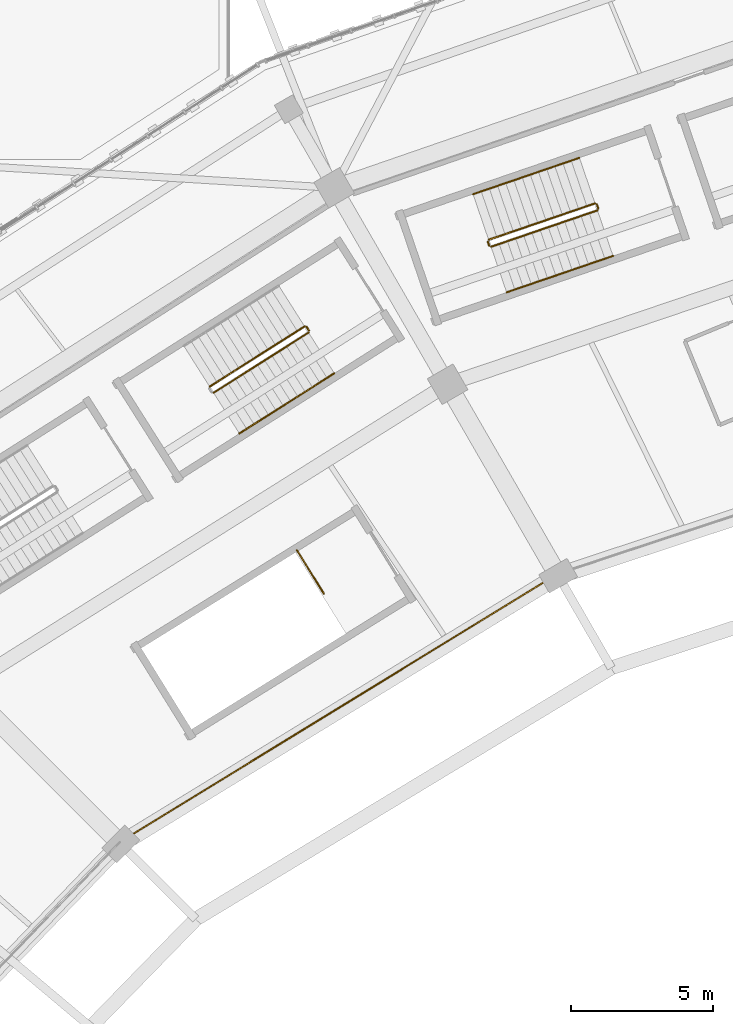
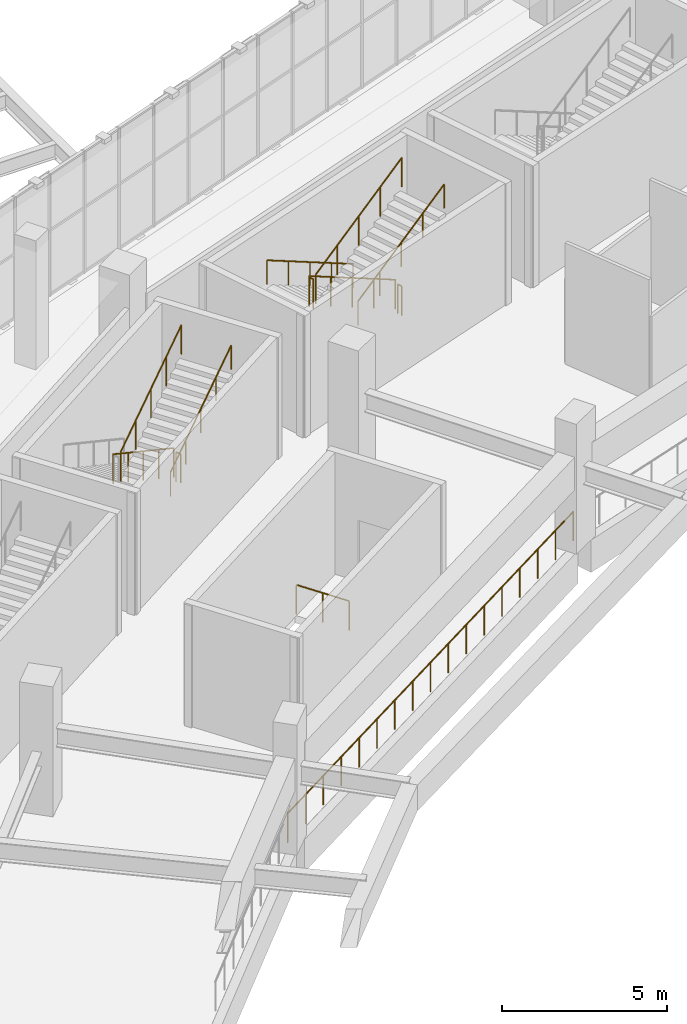
# One storey, part 164 of 179: 12 railings.
"""IFC4 building model written with IfcOpenShell, lengths in metres."""

from ifc_helpers import new_model, si_unit, direction, frame, origin, origin_2d, place, context, subcontext, project, spatial, circle, extrude, material, type_object, element, save


model = new_model("IFC4")

# Units and contexts
model_context = context("Model", 3, precision=1e-05, world=origin(), true_north=direction((0.0, 1.0)))
body_context = subcontext(model_context, "Body", "Model", "MODEL_VIEW")
ifc_project = project(units=[si_unit("LENGTHUNIT", "METRE"), si_unit("AREAUNIT", "SQUARE_METRE"), si_unit("VOLUMEUNIT", "CUBIC_METRE"), si_unit("PLANEANGLEUNIT", "RADIAN"), si_unit("MASSUNIT", "GRAM", prefix="KILO")], contexts=[model_context])

# Site, building, storey
site_placement = place(None, origin())
site = spatial("IfcSite", under=ifc_project, at=site_placement, CompositionType="ELEMENT")
building_placement = place(site_placement, origin())
building = spatial("IfcBuilding", under=site, at=building_placement, Name="Zevraka Park Crest Stadium", CompositionType="ELEMENT")
storey_placement = place(building_placement, frame((0.0, 0.0, 10.199951171875)))
storey = spatial("IfcBuildingStorey", under=building, at=storey_placement, Name="L02", CompositionType="ELEMENT", Elevation=10.199951171875)

# Railings
ifc_material_1 = material(Name="Galvanised and bronze-finished steel balustrade", Category="steel")
railing_type_1 = type_object("IfcRailingType", Name="GR01", PredefinedType="GUARDRAIL", material=ifc_material_1)
railing_1_placement = place(storey_placement, frame((74.72412109375, 143.593994140625, 0.0)))
element("IfcRailing", 1, at=railing_1_placement, inside=storey, type_object=railing_type_1, Name="Deck Edge Protection Guardrail GR01 L02-71", PredefinedType="GUARDRAIL", context=body_context, shape_type="SweptSolid", body=[
    extrude(circle(Radius=0.02392578125, at=origin_2d()), frame((0.0, 0.0, 1.076171875), z_axis=(-0.852631855851, -0.522512122718, 0.0), x_axis=(0.522512122718, -0.852631855851, 0.0)), (0.0, 0.0, 1.0), 18.114501953125),
    extrude(circle(Radius=0.02099609375, at=origin_2d()), origin(), (0.0, 0.0, 1.0), 1.052001953125),
    extrude(circle(Radius=0.02099609375, at=origin_2d()), frame((-0.96533203125, -0.591552734375, 0.0)), (0.0, 0.0, 1.0), 1.052001953125),
    extrude(circle(Radius=0.02099609375, at=origin_2d()), frame((-1.9306640625, -1.18310546875, 0.0)), (0.0, 0.0, 1.0), 1.052001953125),
    extrude(circle(Radius=0.02099609375, at=origin_2d()), frame((-2.89599609375, -1.774658203125, 0.0)), (0.0, 0.0, 1.0), 1.052001953125),
    extrude(circle(Radius=0.02099609375, at=origin_2d()), frame((-3.861328125, -2.3662109375, 0.0)), (0.0, 0.0, 1.0), 1.052001953125),
    extrude(circle(Radius=0.02099609375, at=origin_2d()), frame((-4.82666015625, -2.957763671875, 0.0)), (0.0, 0.0, 1.0), 1.052001953125),
    extrude(circle(Radius=0.02099609375, at=origin_2d()), frame((-5.7919921875, -3.54931640625, 0.0)), (0.0, 0.0, 1.0), 1.052001953125),
    extrude(circle(Radius=0.02099609375, at=origin_2d()), frame((-6.75732421875, -4.140869140625, 0.0)), (0.0, 0.0, 1.0), 1.052001953125),
    extrude(circle(Radius=0.02099609375, at=origin_2d()), frame((-7.72265625, -4.732421875, 0.0)), (0.0, 0.0, 1.0), 1.052001953125),
    extrude(circle(Radius=0.02099609375, at=origin_2d()), frame((-8.687744140625, -5.32421875, 0.0)), (0.0, 0.0, 1.0), 1.052001953125),
    extrude(circle(Radius=0.02099609375, at=origin_2d()), frame((-9.653076171875, -5.915771484375, 0.0)), (0.0, 0.0, 1.0), 1.052001953125),
    extrude(circle(Radius=0.02099609375, at=origin_2d()), frame((-10.618408203125, -6.50732421875, 0.0)), (0.0, 0.0, 1.0), 1.052001953125),
    extrude(circle(Radius=0.02099609375, at=origin_2d()), frame((-11.583740234375, -7.098876953125, 0.0)), (0.0, 0.0, 1.0), 1.052001953125),
    extrude(circle(Radius=0.02099609375, at=origin_2d()), frame((-12.549072265625, -7.6904296875, 0.0)), (0.0, 0.0, 1.0), 1.052001953125),
    extrude(circle(Radius=0.02099609375, at=origin_2d()), frame((-13.514404296875, -8.281982421875, 0.0)), (0.0, 0.0, 1.0), 1.052001953125),
    extrude(circle(Radius=0.02099609375, at=origin_2d()), frame((-14.479736328125, -8.87353515625, 0.0)), (0.0, 0.0, 1.0), 1.052001953125),
    extrude(circle(Radius=0.02099609375, at=origin_2d()), frame((-15.445068359375, -9.465087890625, 0.0)), (0.0, 0.0, 1.0), 1.052001953125),
])
ifc_material_2 = material(Name="Powder-coated tubular steel stairwell guard", Category="steel")
railing_type_2 = type_object("IfcRailingType", Name="GR03", PredefinedType="GUARDRAIL", material=ifc_material_2)
railing_2_placement = place(storey_placement, frame((65.805419921875, 152.324951171875, 0.17138671875)))
element("IfcRailing", 2, at=railing_2_placement, inside=storey, type_object=railing_type_2, Name="L02 ST09 stair guard 1", PredefinedType="GUARDRAIL", context=body_context, shape_type="SweptSolid", body=[
    extrude(circle(Radius=0.02392578125, at=origin_2d()), frame((0.0, 0.0, 1.076171875), z_axis=(-0.7360728576, -0.466989999352, 0.490017437251), x_axis=(0.535715535947, -0.844398522349, 0.0)), (0.0, 0.0, 1.0), 4.54833984375),
    extrude(circle(Radius=0.02099609375, at=origin_2d()), origin(), (0.0, 0.0, 1.0), 1.052001953125),
    extrude(circle(Radius=0.02099609375, at=origin_2d()), frame((-0.8369140625, -0.531005859375, 0.55712890625)), (0.0, 0.0, 1.0), 1.052001953125),
    extrude(circle(Radius=0.02099609375, at=origin_2d()), frame((-1.673828125, -1.06201171875, 1.1142578125)), (0.0, 0.0, 1.0), 1.052001953125),
    extrude(circle(Radius=0.02099609375, at=origin_2d()), frame((-2.510986328125, -1.593017578125, 1.671630859375)), (0.0, 0.0, 1.0), 1.052001953125),
    extrude(circle(Radius=0.02099609375, at=origin_2d()), frame((-3.347900390625, -2.1240234375, 2.228759765625)), (0.0, 0.0, 1.0), 1.052001953125),
])
railing_3_placement = place(storey_placement, frame((62.5966796875, 149.9814453125, 2.571533203125)))
element("IfcRailing", 3, at=railing_3_placement, inside=storey, type_object=railing_type_2, Name="L02 ST09 stair guard 3", PredefinedType="GUARDRAIL", context=body_context, shape_type="SweptSolid", body=[
    extrude(circle(Radius=0.02392578125, at=origin_2d()), frame((0.0, 0.0, 1.076171875), z_axis=(0.736116810277, 0.466983830349, 0.48995728775), x_axis=(-0.535687682518, 0.84441619288, 0.0)), (0.0, 0.0, 1.0), 4.54833984375),
    extrude(circle(Radius=0.02099609375, at=origin_2d()), origin(), (0.0, 0.0, 1.0), 1.052001953125),
    extrude(circle(Radius=0.02099609375, at=origin_2d()), frame((0.8369140625, 0.531005859375, 0.55712890625)), (0.0, 0.0, 1.0), 1.052001953125),
    extrude(circle(Radius=0.02099609375, at=origin_2d()), frame((1.674072265625, 1.06201171875, 1.1142578125)), (0.0, 0.0, 1.0), 1.052001953125),
    extrude(circle(Radius=0.02099609375, at=origin_2d()), frame((2.51123046875, 1.593017578125, 1.67138671875)), (0.0, 0.0, 1.0), 1.052001953125),
    extrude(circle(Radius=0.02099609375, at=origin_2d()), frame((3.34814453125, 2.1240234375, 2.228515625)), (0.0, 0.0, 1.0), 1.052001953125),
])
railing_4_placement = place(storey_placement, frame((65.87451171875, 152.3095703125, 0.0)))
element("IfcRailing", 4, at=railing_4_placement, inside=storey, type_object=railing_type_2, Name="L02 ST09 stair guard 4", PredefinedType="GUARDRAIL", context=body_context, shape_type="SweptSolid", body=[
    extrude(circle(Radius=0.02392578125, at=origin_2d()), frame((0.0, 0.0, 1.076171875), z_axis=(0.535887230789, -0.844289568736, 0.0), x_axis=(0.844289568736, 0.535887230789, 0.0)), (0.0, 0.0, 1.0), 0.159912109375),
    extrude(circle(Radius=0.02099609375, at=origin_2d()), origin(), (0.0, 0.0, 1.0), 1.052001953125),
    extrude(circle(Radius=0.02099609375, at=origin_2d()), frame((0.085693359375, -0.135009765625, 0.0)), (0.0, 0.0, 1.0), 1.052001953125),
])
railing_5_placement = place(storey_placement, frame((76.0498046875, 156.662353515625, 0.17138671875)))
element("IfcRailing", 5, at=railing_5_placement, inside=storey, type_object=railing_type_2, Name="L02 ST27 stair guard 1", PredefinedType="GUARDRAIL", context=body_context, shape_type="SweptSolid", body=[
    extrude(circle(Radius=0.02392578125, at=origin_2d()), frame((0.0, 0.0, 1.076171875), z_axis=(-0.824717605898, -0.282384596462, 0.489999806329), x_axis=(0.323938619155, -0.946078099852, 0.0)), (0.0, 0.0, 1.0), 4.548583984375),
    extrude(circle(Radius=0.02099609375, at=origin_2d()), origin(), (0.0, 0.0, 1.0), 1.052001953125),
    extrude(circle(Radius=0.02099609375, at=origin_2d()), frame((-0.937744140625, -0.321044921875, 0.55712890625)), (0.0, 0.0, 1.0), 1.052001953125),
    extrude(circle(Radius=0.02099609375, at=origin_2d()), frame((-1.87548828125, -0.64208984375, 1.1142578125)), (0.0, 0.0, 1.0), 1.052001953125),
    extrude(circle(Radius=0.02099609375, at=origin_2d()), frame((-2.8134765625, -0.96337890625, 1.671630859375)), (0.0, 0.0, 1.0), 1.052001953125),
    extrude(circle(Radius=0.02099609375, at=origin_2d()), frame((-3.751220703125, -1.284423828125, 2.228759765625)), (0.0, 0.0, 1.0), 1.052001953125),
])
railing_6_placement = place(storey_placement, frame((72.267578125, 155.314453125, 2.400146484375)))
element("IfcRailing", 6, at=railing_6_placement, inside=storey, type_object=railing_type_2, Name="L02 ST27 stair guard 2", PredefinedType="GUARDRAIL", context=body_context, shape_type="SweptSolid", body=[
    extrude(circle(Radius=0.02392578125, at=origin_2d()), frame((0.0, 0.0, 1.076171875), z_axis=(0.32354385955, -0.946213174156, 0.0), x_axis=(0.946213174156, 0.32354385955, 0.0)), (0.0, 0.0, 1.0), 0.159912109375),
    extrude(circle(Radius=0.02099609375, at=origin_2d()), origin(), (0.0, 0.0, 1.0), 1.052001953125),
    extrude(circle(Radius=0.02099609375, at=origin_2d()), frame((0.0517578125, -0.1513671875, 0.0)), (0.0, 0.0, 1.0), 1.052001953125),
])
railing_7_placement = place(storey_placement, frame((72.3828125, 155.1318359375, 2.571533203125)))
element("IfcRailing", 7, at=railing_7_placement, inside=storey, type_object=railing_type_2, Name="L02 ST27 stair guard 3", PredefinedType="GUARDRAIL", context=body_context, shape_type="SweptSolid", body=[
    extrude(circle(Radius=0.02392578125, at=origin_2d()), frame((0.0, 0.0, 1.076171875), z_axis=(0.824726794133, 0.282441418206, 0.489951589772), x_axis=(-0.32399372979, 0.946059228091, 0.0)), (0.0, 0.0, 1.0), 4.54833984375),
    extrude(circle(Radius=0.02099609375, at=origin_2d()), origin(), (0.0, 0.0, 1.0), 1.052001953125),
    extrude(circle(Radius=0.02099609375, at=origin_2d()), frame((0.937744140625, 0.3212890625, 0.55712890625)), (0.0, 0.0, 1.0), 1.052001953125),
    extrude(circle(Radius=0.02099609375, at=origin_2d()), frame((1.87548828125, 0.642333984375, 1.1142578125)), (0.0, 0.0, 1.0), 1.052001953125),
    extrude(circle(Radius=0.02099609375, at=origin_2d()), frame((2.8134765625, 0.96337890625, 1.67138671875)), (0.0, 0.0, 1.0), 1.052001953125),
    extrude(circle(Radius=0.02099609375, at=origin_2d()), frame((3.751220703125, 1.28466796875, 2.228515625)), (0.0, 0.0, 1.0), 1.052001953125),
])
railing_8_placement = place(storey_placement, frame((76.11328125, 156.63134765625, 0.0)))
element("IfcRailing", 8, at=railing_8_placement, inside=storey, type_object=railing_type_2, Name="L02 ST27 stair guard 4", PredefinedType="GUARDRAIL", context=body_context, shape_type="SweptSolid", body=[
    extrude(circle(Radius=0.02392578125, at=origin_2d()), frame((0.0, 0.0, 1.076171875), z_axis=(0.32354385955, -0.946213174156, 0.0), x_axis=(0.946213174156, 0.32354385955, 0.0)), (0.0, 0.0, 1.0), 0.159912109375),
    extrude(circle(Radius=0.02099609375, at=origin_2d()), origin(), (0.0, 0.0, 1.0), 1.052001953125),
    extrude(circle(Radius=0.02099609375, at=origin_2d()), frame((0.0517578125, -0.1513671875, 0.0)), (0.0, 0.0, 1.0), 1.052001953125),
])
railing_9_placement = place(storey_placement, frame((65.53271484375, 144.43359375, 0.0)))
element("IfcRailing", 9, at=railing_9_placement, inside=storey, type_object=railing_type_2, Name="L02 ST37 top well guard 1", PredefinedType="GUARDRAIL", context=body_context, shape_type="SweptSolid", body=[
    extrude(circle(Radius=0.02392578125, at=origin_2d()), frame((0.0, 0.0, 1.076171875), z_axis=(0.527231915406, -0.84972142928, 0.0), x_axis=(0.84972142928, 0.527231915406, 0.0)), (0.0, 0.0, 1.0), 1.81005859375),
    extrude(circle(Radius=0.02099609375, at=origin_2d()), origin(), (0.0, 0.0, 1.0), 1.052001953125),
    extrude(circle(Radius=0.02099609375, at=origin_2d()), frame((0.47705078125, -0.76904296875, 0.0)), (0.0, 0.0, 1.0), 1.052001953125),
    extrude(circle(Radius=0.02099609375, at=origin_2d()), frame((0.954345703125, -1.5380859375, 0.0)), (0.0, 0.0, 1.0), 1.052001953125),
])
ifc_material_3 = material(Name="Brushed stainless steel continuous handrail", Category="steel")
railing_type_3 = type_object("IfcRailingType", Name="HR01", PredefinedType="HANDRAIL", material=ifc_material_3)
railing_10_placement = place(storey_placement, frame((63.507568359375, 148.5458984375, 2.571533203125)))
element("IfcRailing", 10, at=railing_10_placement, inside=storey, type_object=railing_type_3, Name="L02 ST09 stair handrail 2", PredefinedType="HANDRAIL", context=body_context, shape_type="SweptSolid", body=[
    extrude(circle(Radius=0.02392578125, at=origin_2d()), frame((0.0, 0.0, 0.8759765625), z_axis=(0.736092217986, 0.467002282249, 0.489976647398), x_axis=(-0.535715535947, 0.844398522349, 0.0)), (0.0, 0.0, 1.0), 4.548095703125),
    extrude(circle(Radius=0.02099609375, at=origin_2d()), origin(), (0.0, 0.0, 1.0), 0.851806640625),
    extrude(circle(Radius=0.02099609375, at=origin_2d()), frame((0.8369140625, 0.531005859375, 0.55712890625)), (0.0, 0.0, 1.0), 0.851806640625),
    extrude(circle(Radius=0.02099609375, at=origin_2d()), frame((1.673828125, 1.06201171875, 1.1142578125)), (0.0, 0.0, 1.0), 0.851806640625),
    extrude(circle(Radius=0.02099609375, at=origin_2d()), frame((2.510986328125, 1.593017578125, 1.67138671875)), (0.0, 0.0, 1.0), 0.851806640625),
    extrude(circle(Radius=0.02099609375, at=origin_2d()), frame((3.347900390625, 2.1240234375, 2.228515625)), (0.0, 0.0, 1.0), 0.851806640625),
])
railing_11_placement = place(storey_placement, frame((75.4990234375, 158.270751953125, 0.17138671875)))
element("IfcRailing", 11, at=railing_11_placement, inside=storey, type_object=railing_type_3, Name="L02 ST27 stair handrail 1", PredefinedType="HANDRAIL", context=body_context, shape_type="SweptSolid", body=[
    extrude(circle(Radius=0.02392578125, at=origin_2d()), frame((0.0, 0.0, 0.8759765625), z_axis=(-0.824717605898, -0.282384596462, 0.489999806329), x_axis=(0.323938619155, -0.946078099852, 0.0)), (0.0, 0.0, 1.0), 4.548583984375),
    extrude(circle(Radius=0.02099609375, at=origin_2d()), origin(), (0.0, 0.0, 1.0), 0.851806640625),
    extrude(circle(Radius=0.02099609375, at=origin_2d()), frame((-0.937744140625, -0.321044921875, 0.55712890625)), (0.0, 0.0, 1.0), 0.851806640625),
    extrude(circle(Radius=0.02099609375, at=origin_2d()), frame((-1.87548828125, -0.64208984375, 1.1142578125)), (0.0, 0.0, 1.0), 0.851806640625),
    extrude(circle(Radius=0.02099609375, at=origin_2d()), frame((-2.8134765625, -0.96337890625, 1.671630859375)), (0.0, 0.0, 1.0), 0.851806640625),
    extrude(circle(Radius=0.02099609375, at=origin_2d()), frame((-3.751220703125, -1.284423828125, 2.228759765625)), (0.0, 0.0, 1.0), 0.851806640625),
])
railing_12_placement = place(storey_placement, frame((72.93359375, 153.523681640625, 2.571533203125)))
element("IfcRailing", 12, at=railing_12_placement, inside=storey, type_object=railing_type_3, Name="L02 ST27 stair handrail 2", PredefinedType="HANDRAIL", context=body_context, shape_type="SweptSolid", body=[
    extrude(circle(Radius=0.02392578125, at=origin_2d()), frame((0.0, 0.0, 0.8759765625), z_axis=(0.824739296281, 0.282392023283, 0.489959017016), x_axis=(-0.323938619155, 0.946078099852, 0.0)), (0.0, 0.0, 1.0), 4.54833984375),
    extrude(circle(Radius=0.02099609375, at=origin_2d()), origin(), (0.0, 0.0, 1.0), 0.851806640625),
    extrude(circle(Radius=0.02099609375, at=origin_2d()), frame((0.937744140625, 0.321044921875, 0.55712890625)), (0.0, 0.0, 1.0), 0.851806640625),
    extrude(circle(Radius=0.02099609375, at=origin_2d()), frame((1.87548828125, 0.64208984375, 1.1142578125)), (0.0, 0.0, 1.0), 0.851806640625),
    extrude(circle(Radius=0.02099609375, at=origin_2d()), frame((2.8134765625, 0.96337890625, 1.67138671875)), (0.0, 0.0, 1.0), 0.851806640625),
    extrude(circle(Radius=0.02099609375, at=origin_2d()), frame((3.751220703125, 1.284423828125, 2.228515625)), (0.0, 0.0, 1.0), 0.851806640625),
])

save(model, "model.ifc")
